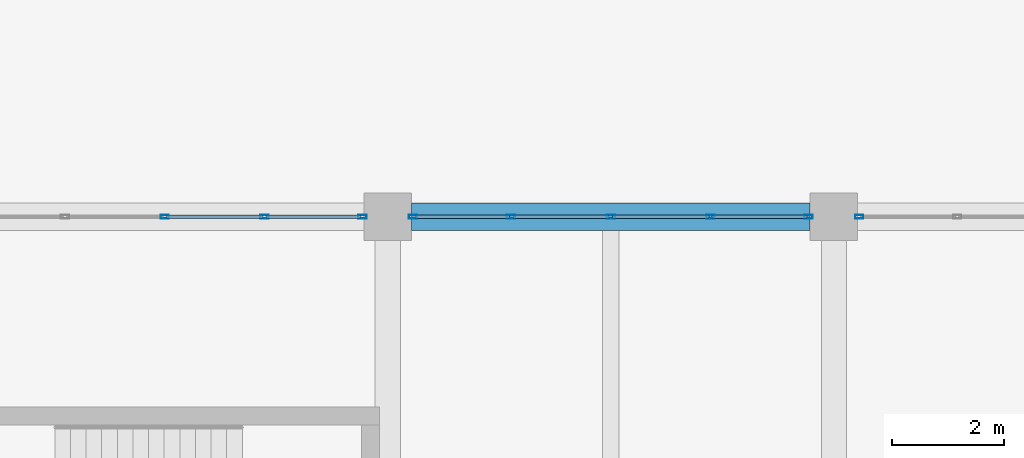
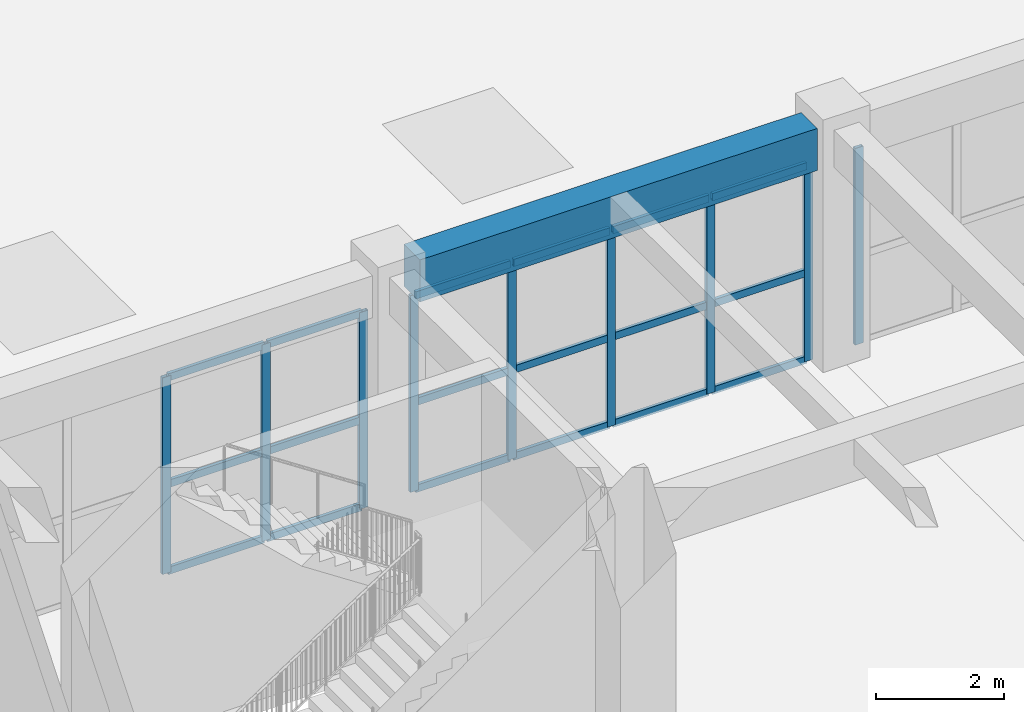
# One storey, part 41 of 101: 27 members, 1 beam, 3 elements without a shape of their own.
"""IFC4 building model written with IfcOpenShell, lengths in metres."""

import ifcopenshell
import ifcopenshell.guid

model = None  # the IFC model being written
_history = None  # IfcOwnerHistory: only IFC2X3 demands one
_inside = {}  # id of a spatial element -> (the spatial element, [elements in it])
_under = {}  # id of a project, library or spatial element -> (it, [spatial elements below it])
_declared = {}  # id of a project -> (the project, [libraries it declares])
_typed = {}  # id of a type object -> (the type object, [elements of that type])
_made_of = {}  # id of a material, layer set ... -> (it, [elements and type objects made of it])


def new_model(schema):
    """Start an empty IFC model of exactly this schema.

    Asked for "IFC4X3", IfcOpenShell would pick the latest addendum, in which some entities
    have other attributes; the version numbers below select the first issue.
    IFC2X3 requires an IfcOwnerHistory on every rooted entity: one is made here for all.
    """
    global model, _history
    if schema == "IFC4X3":
        model = ifcopenshell.file(schema_version=(4, 3, 0, 0))
    else:
        model = ifcopenshell.file(schema=schema)
    _inside.clear()
    _under.clear()
    _declared.clear()
    _typed.clear()
    _made_of.clear()
    _history = None
    if model.schema == "IFC2X3":
        org = make("IfcOrganization", Name="unknown")
        user = make(
            "IfcPersonAndOrganization",
            ThePerson=make("IfcPerson", FamilyName="unknown"),
            TheOrganization=org,
        )
        app = make(
            "IfcApplication",
            ApplicationDeveloper=org,
            Version="unknown",
            ApplicationFullName="unknown",
            ApplicationIdentifier="unknown",
        )
        _history = make(
            "IfcOwnerHistory",
            OwningUser=user,
            OwningApplication=app,
            ChangeAction="ADDED",
            CreationDate=0,
        )
    return model


def make(cls, **values):
    """One entity of the class cls with the attributes given. An attribute that is None is left unset."""
    return model.create_entity(
        cls, **{name: value for name, value in values.items() if value is not None}
    )


def rooted(cls, **values):
    """An entity with a GlobalId (a new one), such as an element, a storey or a relation."""
    return make(cls, GlobalId=ifcopenshell.guid.new(), OwnerHistory=_history, **values)


def si_unit(unit_type, name, prefix=None):
    """IfcSIUnit, for example si_unit("LENGTHUNIT", "METRE", prefix="MILLI")."""
    return make("IfcSIUnit", UnitType=unit_type, Prefix=prefix, Name=name)


def assignment(units):
    """IfcUnitAssignment: the units of a project."""
    return None if units is None else make("IfcUnitAssignment", Units=units)


def point(xyz):
    """IfcCartesianPoint."""
    return None if xyz is None else make("IfcCartesianPoint", Coordinates=xyz)


def direction(xyz):
    """IfcDirection."""
    return None if xyz is None else make("IfcDirection", DirectionRatios=xyz)


def frame(location, z_axis=None, x_axis=None):
    """IfcAxis2Placement3D, a coordinate frame: its origin and axes. An axis left out is left unset."""
    return make(
        "IfcAxis2Placement3D",
        Location=point(location),
        Axis=direction(z_axis),
        RefDirection=direction(x_axis),
    )


def frame_2d(location, x_axis=None):
    """IfcAxis2Placement2D, a coordinate frame in the plane: its origin and x axis."""
    return make(
        "IfcAxis2Placement2D", Location=point(location), RefDirection=direction(x_axis)
    )


def origin():
    """The frame at (0, 0, 0) with its axes left unset."""
    return frame((0.0, 0.0, 0.0))


def origin_2d():
    """The frame at (0, 0) in the plane with its x axis left unset."""
    return frame_2d((0.0, 0.0))


def place(relative_to, where):
    """IfcLocalPlacement: puts the frame where relative to a parent placement (None: the world)."""
    return make(
        "IfcLocalPlacement", PlacementRelTo=relative_to, RelativePlacement=where
    )


def context(
    kind, dimensions, precision=None, world=None, true_north=None, identifier=None
):
    """IfcGeometricRepresentationContext, for example the 3D "Model" context."""
    return make(
        "IfcGeometricRepresentationContext",
        ContextIdentifier=identifier,
        ContextType=kind,
        CoordinateSpaceDimension=dimensions,
        Precision=precision,
        WorldCoordinateSystem=world,
        TrueNorth=true_north,
    )


def subcontext(parent, identifier, kind, view, scale=None):
    """IfcGeometricRepresentationSubContext, for example "Body" below "Model"."""
    return make(
        "IfcGeometricRepresentationSubContext",
        ContextIdentifier=identifier,
        ContextType=kind,
        ParentContext=parent,
        TargetScale=scale,
        TargetView=view,
    )


def project(units=None, contexts=None):
    """IfcProject with its units and contexts."""
    return rooted(
        "IfcProject",
        Name="project",
        RepresentationContexts=contexts,
        UnitsInContext=assignment(units),
    )


def spatial(cls, under=None, at=None, **own):
    """A site, building, storey or space (cls), placed at a placement, below another one or the project."""
    s = rooted(cls, ObjectPlacement=at, **own)
    if under is not None:
        _under.setdefault(under.id(), (under, []))[1].append(s)
    return s


def profile(cls, at=None, kind="AREA", **sizes):
    """A parametric profile (cls). Its sizes go by their IFC names, for example OverallWidth=200.0."""
    return make(cls, ProfileType=kind, Position=at, **sizes)


def rectangle(**sizes):
    """IfcRectangleProfileDef."""
    return profile("IfcRectangleProfileDef", **sizes)


def hollow_rectangle(**sizes):
    """IfcRectangleHollowProfileDef."""
    return profile("IfcRectangleHollowProfileDef", **sizes)


def extrude(swept, where, along, depth):
    """IfcExtrudedAreaSolid: the profile swept, set in the frame where, extruded along a direction by depth."""
    return make(
        "IfcExtrudedAreaSolid",
        SweptArea=swept,
        Position=where,
        ExtrudedDirection=direction(along),
        Depth=depth,
    )


def shape(context_of_items, identifier, shape_type, items):
    """IfcShapeRepresentation: the items that make up one representation, for example the "Body"."""
    return make(
        "IfcShapeRepresentation",
        ContextOfItems=context_of_items,
        RepresentationIdentifier=identifier,
        RepresentationType=shape_type,
        Items=items,
    )


def material(Name=None, Category=None):
    """IfcMaterial."""
    return make("IfcMaterial", Name=Name, Category=Category)


def material_profile(
    of_material, cross_section, Name=None, Category=None, Priority=None
):
    """IfcMaterialProfile: a cross section and its material."""
    return make(
        "IfcMaterialProfile",
        Name=Name,
        Material=of_material,
        Profile=cross_section,
        Priority=Priority,
        Category=Category,
    )


def profile_set(profiles, Name=None, composite=None):
    """IfcMaterialProfileSet."""
    return make(
        "IfcMaterialProfileSet",
        Name=Name,
        MaterialProfiles=profiles,
        CompositeProfile=composite,
    )


def made_of(thing, what):
    """Note that an element or type object is made of a material, layer set ...; save() writes the relation."""
    if what is not None:
        _made_of.setdefault(what.id(), (what, []))[1].append(thing)
    return thing


def type_object(cls, material=None, **own):
    """A type object (cls), such as IfcWallType, which elements share."""
    return made_of(rooted(cls, **own), material)


def element(
    cls,
    number,
    at=None,
    inside=None,
    cuts=None,
    type_object=None,
    material=None,
    context=None,
    identifier="Body",
    shape_type=None,
    held_by="IfcProductDefinitionShape",
    body=None,
    shapes=None,
    **own,
):
    """One element of the class cls, such as IfcWall. Its Tag is "e" and its number.

    at: its placement. inside: the storey or other place that contains it. cuts: it is an
    opening in that element (IfcRelVoidsElement). A single representation is given by context,
    identifier, shape_type and body (its items); several are given by shapes. held_by: the class
    of the entity that holds the representations. save() writes the other relations.
    """
    e = rooted(cls, Tag="e%d" % number, ObjectPlacement=at, **own)
    if body is not None:
        shapes = [shape(context, identifier, shape_type, body)]
    if shapes is not None:
        e.Representation = make(held_by, Representations=shapes)
    if inside is not None:
        _inside.setdefault(inside.id(), (inside, []))[1].append(e)
    if cuts is not None:
        rooted(
            "IfcRelVoidsElement", RelatingBuildingElement=cuts, RelatedOpeningElement=e
        )
    if type_object is not None:
        _typed.setdefault(type_object.id(), (type_object, []))[1].append(e)
    return made_of(e, material)


def aggregate(whole, parts):
    """IfcRelAggregates: a whole, such as a stair, and the parts it consists of."""
    return rooted("IfcRelAggregates", RelatingObject=whole, RelatedObjects=parts)


def save(model, path):
    """Write the relations noted so far, then the file.

    IfcRelAggregates (storeys below a building ...), IfcRelContainedInSpatialStructure (elements
    in a storey), IfcRelDefinesByType, IfcRelAssociatesMaterial and IfcRelDeclares: one each for
    every whole, place, type object, material and project.
    """
    for whole, parts in _under.values():
        aggregate(whole, parts)
    for where, things in _inside.values():
        rooted(
            "IfcRelContainedInSpatialStructure",
            RelatedElements=things,
            RelatingStructure=where,
        )
    for kind, things in _typed.values():
        rooted("IfcRelDefinesByType", RelatedObjects=things, RelatingType=kind)
    for what, things in _made_of.values():
        rooted("IfcRelAssociatesMaterial", RelatedObjects=things, RelatingMaterial=what)
    for by, libraries in _declared.values():
        rooted("IfcRelDeclares", RelatingContext=by, RelatedDefinitions=libraries)
    model.write(path)


model = new_model("IFC4")

# Units and contexts
model_context = context("Model", 3, precision=1e-05, world=origin(), true_north=direction((0.0, 1.0)))
body_context = subcontext(model_context, "Body", "Model", "MODEL_VIEW")
ifc_project = project(units=[si_unit("LENGTHUNIT", "METRE"), si_unit("AREAUNIT", "SQUARE_METRE"), si_unit("VOLUMEUNIT", "CUBIC_METRE"), si_unit("PLANEANGLEUNIT", "RADIAN"), si_unit("MASSUNIT", "GRAM", prefix="KILO")], contexts=[model_context])

# Site, building, storey
site_placement = place(None, origin())
site = spatial("IfcSite", under=ifc_project, at=site_placement, CompositionType="ELEMENT")
building_placement = place(site_placement, origin())
building = spatial("IfcBuilding", under=site, at=building_placement, Name="Zantavel Square City Hall", CompositionType="ELEMENT")
storey_placement = place(building_placement, frame((0.0, 0.0, 5.39990234375)))
storey = spatial("IfcBuildingStorey", under=building, at=storey_placement, Name="L02", CompositionType="ELEMENT", Elevation=5.39990234375)

# Curtain wall, members
ifc_material_1 = material(Name="Anodised aluminium 6063-T6", Category="aluminium")
curtain_wall_type = type_object("IfcCurtainWallType", Name="Curtain Wall TRV1 7150x3740", PredefinedType="USERDEFINED", material=ifc_material_1)
curtain_wall_1_placement = place(storey_placement, origin())
curtain_wall_1 = element("IfcCurtainWall", 1, at=curtain_wall_1_placement, inside=storey, type_object=curtain_wall_type, Name="L02 Glazed Curtain Wall CW-L02-038", ObjectType="GLAZED CURTAIN WALL", PredefinedType="USERDEFINED")
ifc_material_profile_1 = material_profile(ifc_material_1, hollow_rectangle(XDim=0.06494140625, YDim=0.14990234375, WallThickness=0.00390625, at=origin_2d()), Name="ALU 65x150x4")
ifc_profile_set_1 = profile_set([ifc_material_profile_1], Name="Anodised aluminium 6063-T6")
member_type_1 = type_object("IfcMemberType", Name="CW Mullion ALU 65x150x4", PredefinedType="MULLION", material=ifc_profile_set_1)
member_1_placement = place(storey_placement, frame((68.0, 68.39990234375, 0.0), z_axis=(0.0, 0.0, 1.0), x_axis=(0.0, 1.0, 0.0)))
member_1 = element("IfcMember", 2, at=member_1_placement, type_object=member_type_1, Name="CW-038 mullion 3", PredefinedType="MULLION", context=body_context, shape_type="SweptSolid", body=[
    extrude(hollow_rectangle(XDim=0.06494140625, YDim=0.14990234375, WallThickness=0.00390625, at=origin_2d()), origin(), (0.0, 0.0, 1.0), 3.739990234375),
])
member_2_placement = place(storey_placement, frame((69.78759765625, 68.39990234375, 0.0), z_axis=(0.0, 0.0, 1.0), x_axis=(0.0, 1.0, 0.0)))
member_2 = element("IfcMember", 3, at=member_2_placement, type_object=member_type_1, Name="CW-038 mullion 4", PredefinedType="MULLION", context=body_context, shape_type="SweptSolid", body=[
    extrude(hollow_rectangle(XDim=0.06494140625, YDim=0.14990234375, WallThickness=0.00390625, at=origin_2d()), origin(), (0.0, 0.0, 1.0), 3.739990234375),
])
member_3_placement = place(storey_placement, frame((71.544921875, 68.39990234375, 0.0), z_axis=(0.0, 0.0, 1.0), x_axis=(0.0, 1.0, 0.0)))
member_3 = element("IfcMember", 4, at=member_3_placement, type_object=member_type_1, Name="CW-038 mullion 5", PredefinedType="MULLION", context=body_context, shape_type="SweptSolid", body=[
    extrude(hollow_rectangle(XDim=0.06494140625, YDim=0.14990234375, WallThickness=0.00390625, at=origin_2d()), origin(), (0.0, 0.0, 1.0), 3.739990234375),
])

curtain_wall_2_placement = place(storey_placement, origin())
curtain_wall_2 = element("IfcCurtainWall", 5, at=curtain_wall_2_placement, inside=storey, type_object=curtain_wall_type, Name="L02 Glazed Curtain Wall CW-L02-039", ObjectType="GLAZED CURTAIN WALL", PredefinedType="USERDEFINED")
member_4_placement = place(storey_placement, frame((72.455078125, 68.39990234375, 0.0), z_axis=(0.0, 0.0, 1.0), x_axis=(0.0, 1.0, 0.0)))
member_4 = element("IfcMember", 6, at=member_4_placement, type_object=member_type_1, Name="CW-039 mullion 1", PredefinedType="MULLION", context=body_context, shape_type="SweptSolid", body=[
    extrude(hollow_rectangle(XDim=0.06494140625, YDim=0.14990234375, WallThickness=0.00390625, at=origin_2d()), origin(), (0.0, 0.0, 1.0), 3.739990234375),
])
member_5_placement = place(storey_placement, frame((74.21240234375, 68.39990234375, 0.0), z_axis=(0.0, 0.0, 1.0), x_axis=(0.0, 1.0, 0.0)))
member_5 = element("IfcMember", 7, at=member_5_placement, type_object=member_type_1, Name="CW-039 mullion 2", PredefinedType="MULLION", context=body_context, shape_type="SweptSolid", body=[
    extrude(hollow_rectangle(XDim=0.06494140625, YDim=0.14990234375, WallThickness=0.00390625, at=origin_2d()), origin(), (0.0, 0.0, 1.0), 3.739990234375),
])
member_6_placement = place(storey_placement, frame((76.0, 68.39990234375, 0.0), z_axis=(0.0, 0.0, 1.0), x_axis=(0.0, 1.0, 0.0)))
member_6 = element("IfcMember", 8, at=member_6_placement, type_object=member_type_1, Name="CW-039 mullion 3", PredefinedType="MULLION", context=body_context, shape_type="SweptSolid", body=[
    extrude(hollow_rectangle(XDim=0.06494140625, YDim=0.14990234375, WallThickness=0.00390625, at=origin_2d()), origin(), (0.0, 0.0, 1.0), 3.739990234375),
])
member_7_placement = place(storey_placement, frame((77.78759765625, 68.39990234375, 0.0), z_axis=(0.0, 0.0, 1.0), x_axis=(0.0, 1.0, 0.0)))
member_7 = element("IfcMember", 9, at=member_7_placement, type_object=member_type_1, Name="CW-039 mullion 4", PredefinedType="MULLION", context=body_context, shape_type="SweptSolid", body=[
    extrude(hollow_rectangle(XDim=0.06494140625, YDim=0.14990234375, WallThickness=0.00390625, at=origin_2d()), origin(), (0.0, 0.0, 1.0), 3.739990234375),
])
member_8_placement = place(storey_placement, frame((79.544921875, 68.39990234375, 0.0), z_axis=(0.0, 0.0, 1.0), x_axis=(0.0, 1.0, 0.0)))
member_8 = element("IfcMember", 10, at=member_8_placement, type_object=member_type_1, Name="CW-039 mullion 5", PredefinedType="MULLION", context=body_context, shape_type="SweptSolid", body=[
    extrude(hollow_rectangle(XDim=0.06494140625, YDim=0.14990234375, WallThickness=0.00390625, at=origin_2d()), origin(), (0.0, 0.0, 1.0), 3.739990234375),
])

# Curtain wall, member
curtain_wall_3_placement = place(storey_placement, origin())
curtain_wall_3 = element("IfcCurtainWall", 11, at=curtain_wall_3_placement, inside=storey, type_object=curtain_wall_type, Name="L02 Glazed Curtain Wall CW-L02-040", ObjectType="GLAZED CURTAIN WALL", PredefinedType="USERDEFINED")
member_9_placement = place(storey_placement, frame((80.455078125, 68.39990234375, 0.0), z_axis=(0.0, 0.0, 1.0), x_axis=(0.0, 1.0, 0.0)))
member_9 = element("IfcMember", 12, at=member_9_placement, type_object=member_type_1, Name="CW-040 mullion 1", PredefinedType="MULLION", context=body_context, shape_type="SweptSolid", body=[
    extrude(hollow_rectangle(XDim=0.06494140625, YDim=0.14990234375, WallThickness=0.00390625, at=origin_2d()), origin(), (0.0, 0.0, 1.0), 3.739990234375),
])
aggregate(curtain_wall_3, [member_9])

# Member
ifc_material_profile_2 = material_profile(ifc_material_1, hollow_rectangle(XDim=0.06005859375, YDim=0.139892578125, WallThickness=0.00390625, at=origin_2d()), Name="ALU 60x140x4")
ifc_profile_set_2 = profile_set([ifc_material_profile_2], Name="Anodised aluminium 6063-T6")
member_type_2 = type_object("IfcMemberType", Name="CW Transom ALU 60x140x4", PredefinedType="USERDEFINED", material=ifc_profile_set_2)
member_10_placement = place(storey_placement, frame((68.030029296875, 68.39990234375, 0.030029296875), z_axis=(1.0, 0.0, 0.0), x_axis=(0.0, 1.0, 0.0)))
member_10 = element("IfcMember", 13, at=member_10_placement, type_object=member_type_2, Name="CW-038 transom 3.1", ObjectType="TRANSOM", PredefinedType="USERDEFINED", context=body_context, shape_type="SweptSolid", body=[
    extrude(hollow_rectangle(XDim=0.06005859375, YDim=0.139892578125, WallThickness=0.00390625, at=origin_2d()), origin(), (0.0, 0.0, 1.0), 1.7275390625),
])

member_11_placement = place(storey_placement, frame((68.030029296875, 68.39990234375, 1.68310546875), z_axis=(1.0, 0.0, 0.0), x_axis=(0.0, 1.0, 0.0)))
member_11 = element("IfcMember", 14, at=member_11_placement, type_object=member_type_2, Name="CW-038 transom 3.2", ObjectType="TRANSOM", PredefinedType="USERDEFINED", context=body_context, shape_type="SweptSolid", body=[
    extrude(hollow_rectangle(XDim=0.06005859375, YDim=0.139892578125, WallThickness=0.00390625, at=origin_2d()), origin(), (0.0, 0.0, 1.0), 1.7275390625),
])

member_12_placement = place(storey_placement, frame((68.030029296875, 68.39990234375, 3.710205078125), z_axis=(1.0, 0.0, 0.0), x_axis=(0.0, 1.0, 0.0)))
member_12 = element("IfcMember", 15, at=member_12_placement, type_object=member_type_2, Name="CW-038 transom 3.3", ObjectType="TRANSOM", PredefinedType="USERDEFINED", context=body_context, shape_type="SweptSolid", body=[
    extrude(hollow_rectangle(XDim=0.06005859375, YDim=0.139892578125, WallThickness=0.00390625, at=origin_2d()), origin(), (0.0, 0.0, 1.0), 1.7275390625),
])

member_13_placement = place(storey_placement, frame((69.8173828125, 68.39990234375, 0.030029296875), z_axis=(1.0, 0.0, 0.0), x_axis=(0.0, 1.0, 0.0)))
member_13 = element("IfcMember", 16, at=member_13_placement, type_object=member_type_2, Name="CW-038 transom 4.1", ObjectType="TRANSOM", PredefinedType="USERDEFINED", context=body_context, shape_type="SweptSolid", body=[
    extrude(hollow_rectangle(XDim=0.06005859375, YDim=0.139892578125, WallThickness=0.00390625, at=origin_2d()), origin(), (0.0, 0.0, 1.0), 1.697509765625),
])

member_14_placement = place(storey_placement, frame((69.8173828125, 68.39990234375, 1.68310546875), z_axis=(1.0, 0.0, 0.0), x_axis=(0.0, 1.0, 0.0)))
member_14 = element("IfcMember", 17, at=member_14_placement, type_object=member_type_2, Name="CW-038 transom 4.2", ObjectType="TRANSOM", PredefinedType="USERDEFINED", context=body_context, shape_type="SweptSolid", body=[
    extrude(hollow_rectangle(XDim=0.06005859375, YDim=0.139892578125, WallThickness=0.00390625, at=origin_2d()), origin(), (0.0, 0.0, 1.0), 1.697509765625),
])

member_15_placement = place(storey_placement, frame((69.8173828125, 68.39990234375, 3.710205078125), z_axis=(1.0, 0.0, 0.0), x_axis=(0.0, 1.0, 0.0)))
member_15 = element("IfcMember", 18, at=member_15_placement, type_object=member_type_2, Name="CW-038 transom 4.3", ObjectType="TRANSOM", PredefinedType="USERDEFINED", context=body_context, shape_type="SweptSolid", body=[
    extrude(hollow_rectangle(XDim=0.06005859375, YDim=0.139892578125, WallThickness=0.00390625, at=origin_2d()), origin(), (0.0, 0.0, 1.0), 1.697509765625),
])

aggregate(curtain_wall_1, [member_1, member_2, member_3, member_10, member_11, member_12, member_13, member_14, member_15])

member_16_placement = place(storey_placement, frame((72.485107421875, 68.39990234375, 0.030029296875), z_axis=(1.0, 0.0, 0.0), x_axis=(0.0, 1.0, 0.0)))
member_16 = element("IfcMember", 19, at=member_16_placement, type_object=member_type_2, Name="CW-039 transom 1.1", ObjectType="TRANSOM", PredefinedType="USERDEFINED", context=body_context, shape_type="SweptSolid", body=[
    extrude(hollow_rectangle(XDim=0.06005859375, YDim=0.139892578125, WallThickness=0.00390625, at=origin_2d()), origin(), (0.0, 0.0, 1.0), 1.697509765625),
])

member_17_placement = place(storey_placement, frame((72.485107421875, 68.39990234375, 1.68310546875), z_axis=(1.0, 0.0, 0.0), x_axis=(0.0, 1.0, 0.0)))
member_17 = element("IfcMember", 20, at=member_17_placement, type_object=member_type_2, Name="CW-039 transom 1.2", ObjectType="TRANSOM", PredefinedType="USERDEFINED", context=body_context, shape_type="SweptSolid", body=[
    extrude(hollow_rectangle(XDim=0.06005859375, YDim=0.139892578125, WallThickness=0.00390625, at=origin_2d()), origin(), (0.0, 0.0, 1.0), 1.697509765625),
])

member_18_placement = place(storey_placement, frame((72.485107421875, 68.39990234375, 3.710205078125), z_axis=(1.0, 0.0, 0.0), x_axis=(0.0, 1.0, 0.0)))
member_18 = element("IfcMember", 21, at=member_18_placement, type_object=member_type_2, Name="CW-039 transom 1.3", ObjectType="TRANSOM", PredefinedType="USERDEFINED", context=body_context, shape_type="SweptSolid", body=[
    extrude(hollow_rectangle(XDim=0.06005859375, YDim=0.139892578125, WallThickness=0.00390625, at=origin_2d()), origin(), (0.0, 0.0, 1.0), 1.697509765625),
])

member_19_placement = place(storey_placement, frame((74.242431640625, 68.39990234375, 0.030029296875), z_axis=(1.0, 0.0, 0.0), x_axis=(0.0, 1.0, 0.0)))
member_19 = element("IfcMember", 22, at=member_19_placement, type_object=member_type_2, Name="CW-039 transom 2.1", ObjectType="TRANSOM", PredefinedType="USERDEFINED", context=body_context, shape_type="SweptSolid", body=[
    extrude(hollow_rectangle(XDim=0.06005859375, YDim=0.139892578125, WallThickness=0.00390625, at=origin_2d()), origin(), (0.0, 0.0, 1.0), 1.7275390625),
])

member_20_placement = place(storey_placement, frame((74.242431640625, 68.39990234375, 1.68310546875), z_axis=(1.0, 0.0, 0.0), x_axis=(0.0, 1.0, 0.0)))
member_20 = element("IfcMember", 23, at=member_20_placement, type_object=member_type_2, Name="CW-039 transom 2.2", ObjectType="TRANSOM", PredefinedType="USERDEFINED", context=body_context, shape_type="SweptSolid", body=[
    extrude(hollow_rectangle(XDim=0.06005859375, YDim=0.139892578125, WallThickness=0.00390625, at=origin_2d()), origin(), (0.0, 0.0, 1.0), 1.7275390625),
])

member_21_placement = place(storey_placement, frame((74.242431640625, 68.39990234375, 3.710205078125), z_axis=(1.0, 0.0, 0.0), x_axis=(0.0, 1.0, 0.0)))
member_21 = element("IfcMember", 24, at=member_21_placement, type_object=member_type_2, Name="CW-039 transom 2.3", ObjectType="TRANSOM", PredefinedType="USERDEFINED", context=body_context, shape_type="SweptSolid", body=[
    extrude(hollow_rectangle(XDim=0.06005859375, YDim=0.139892578125, WallThickness=0.00390625, at=origin_2d()), origin(), (0.0, 0.0, 1.0), 1.7275390625),
])

member_22_placement = place(storey_placement, frame((76.030029296875, 68.39990234375, 0.030029296875), z_axis=(1.0, 0.0, 0.0), x_axis=(0.0, 1.0, 0.0)))
member_22 = element("IfcMember", 25, at=member_22_placement, type_object=member_type_2, Name="CW-039 transom 3.1", ObjectType="TRANSOM", PredefinedType="USERDEFINED", context=body_context, shape_type="SweptSolid", body=[
    extrude(hollow_rectangle(XDim=0.06005859375, YDim=0.139892578125, WallThickness=0.00390625, at=origin_2d()), origin(), (0.0, 0.0, 1.0), 1.7275390625),
])

member_23_placement = place(storey_placement, frame((76.030029296875, 68.39990234375, 1.68310546875), z_axis=(1.0, 0.0, 0.0), x_axis=(0.0, 1.0, 0.0)))
member_23 = element("IfcMember", 26, at=member_23_placement, type_object=member_type_2, Name="CW-039 transom 3.2", ObjectType="TRANSOM", PredefinedType="USERDEFINED", context=body_context, shape_type="SweptSolid", body=[
    extrude(hollow_rectangle(XDim=0.06005859375, YDim=0.139892578125, WallThickness=0.00390625, at=origin_2d()), origin(), (0.0, 0.0, 1.0), 1.7275390625),
])

member_24_placement = place(storey_placement, frame((76.030029296875, 68.39990234375, 3.710205078125), z_axis=(1.0, 0.0, 0.0), x_axis=(0.0, 1.0, 0.0)))
member_24 = element("IfcMember", 27, at=member_24_placement, type_object=member_type_2, Name="CW-039 transom 3.3", ObjectType="TRANSOM", PredefinedType="USERDEFINED", context=body_context, shape_type="SweptSolid", body=[
    extrude(hollow_rectangle(XDim=0.06005859375, YDim=0.139892578125, WallThickness=0.00390625, at=origin_2d()), origin(), (0.0, 0.0, 1.0), 1.7275390625),
])

member_25_placement = place(storey_placement, frame((77.8173828125, 68.39990234375, 0.030029296875), z_axis=(1.0, 0.0, 0.0), x_axis=(0.0, 1.0, 0.0)))
member_25 = element("IfcMember", 28, at=member_25_placement, type_object=member_type_2, Name="CW-039 transom 4.1", ObjectType="TRANSOM", PredefinedType="USERDEFINED", context=body_context, shape_type="SweptSolid", body=[
    extrude(hollow_rectangle(XDim=0.06005859375, YDim=0.139892578125, WallThickness=0.00390625, at=origin_2d()), origin(), (0.0, 0.0, 1.0), 1.697509765625),
])

member_26_placement = place(storey_placement, frame((77.8173828125, 68.39990234375, 1.68310546875), z_axis=(1.0, 0.0, 0.0), x_axis=(0.0, 1.0, 0.0)))
member_26 = element("IfcMember", 29, at=member_26_placement, type_object=member_type_2, Name="CW-039 transom 4.2", ObjectType="TRANSOM", PredefinedType="USERDEFINED", context=body_context, shape_type="SweptSolid", body=[
    extrude(hollow_rectangle(XDim=0.06005859375, YDim=0.139892578125, WallThickness=0.00390625, at=origin_2d()), origin(), (0.0, 0.0, 1.0), 1.697509765625),
])

member_27_placement = place(storey_placement, frame((77.8173828125, 68.39990234375, 3.710205078125), z_axis=(1.0, 0.0, 0.0), x_axis=(0.0, 1.0, 0.0)))
member_27 = element("IfcMember", 30, at=member_27_placement, type_object=member_type_2, Name="CW-039 transom 4.3", ObjectType="TRANSOM", PredefinedType="USERDEFINED", context=body_context, shape_type="SweptSolid", body=[
    extrude(hollow_rectangle(XDim=0.06005859375, YDim=0.139892578125, WallThickness=0.00390625, at=origin_2d()), origin(), (0.0, 0.0, 1.0), 1.697509765625),
])

aggregate(curtain_wall_2, [member_4, member_5, member_6, member_7, member_8, member_16, member_17, member_18, member_19, member_20, member_21, member_22, member_23, member_24, member_25, member_26, member_27])

# Beam
ifc_material_2 = material(Name="Concrete C35/45", Category="concrete")
ifc_material_profile_3 = material_profile(ifc_material_2, rectangle(XDim=0.5, YDim=0.800048828125, at=origin_2d()), Name="RC 500x800")
ifc_profile_set_3 = profile_set([ifc_material_profile_3], Name="Concrete C35/45")
beam_type = type_object("IfcBeamType", Name="Primary Girder RC 500x800 C35/45", PredefinedType="BEAM", material=ifc_profile_set_3)
beam_placement = place(storey_placement, frame((72.425048828125, 68.39990234375, 4.14013671875), z_axis=(1.0, 0.0, 0.0), x_axis=(0.0, 1.0, 0.0)))
element("IfcBeam", 31, at=beam_placement, inside=storey, type_object=beam_type, Name="L02 Girder BMX-L02-0720-0684", PredefinedType="BEAM", context=body_context, shape_type="SweptSolid", body=[
    extrude(rectangle(XDim=0.5, YDim=0.800048828125, at=origin_2d()), origin(), (0.0, 0.0, 1.0), 7.14990234375),
])

save(model, "model.ifc")
